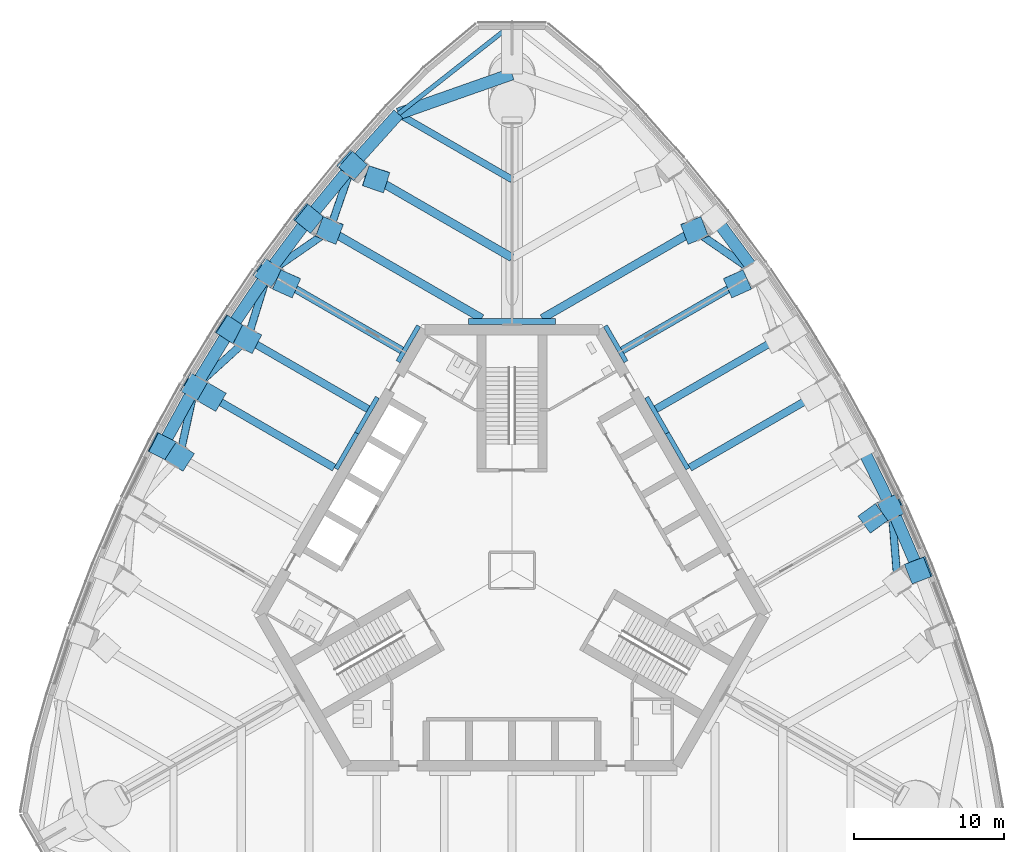
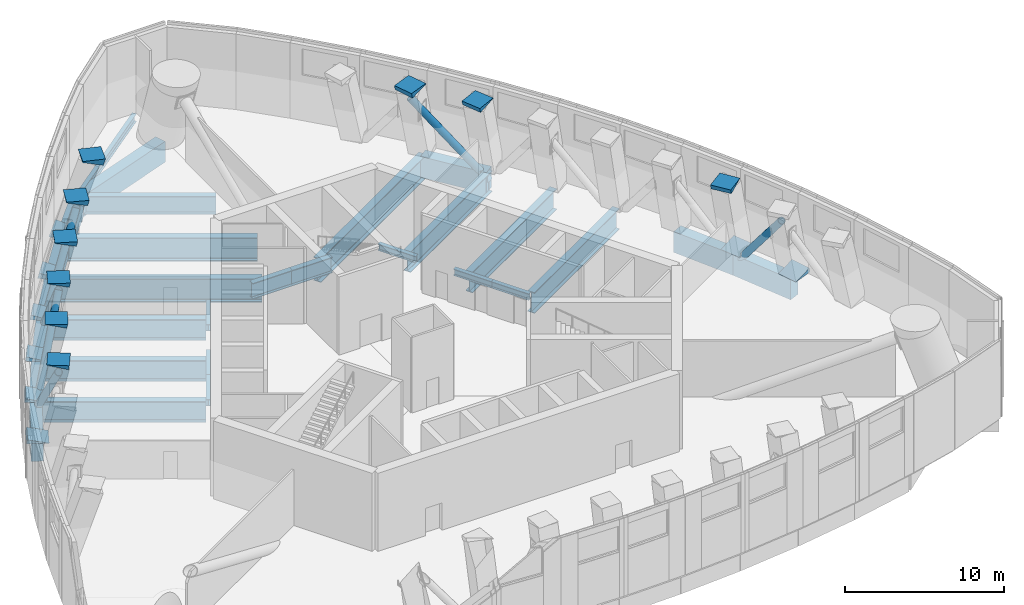
# One storey, part 4 of 22: 29 beams, 24 members.
"""IFC4 building model written with IfcOpenShell, lengths in metres."""

from ifc_helpers import new_model, si_unit, direction, frame, origin, origin_2d, place, context, subcontext, project, spatial, rectangle, hollow_circle, i_section, extrude, clip, halfspace, material, material_profile, profile_set, type_object, element, save


model = new_model("IFC4")

# Units and contexts
model_context = context("Model", 3, precision=1e-05, world=origin(), true_north=direction((0.0, 1.0)))
body_context = subcontext(model_context, "Body", "Model", "MODEL_VIEW")
ifc_project = project(units=[si_unit("LENGTHUNIT", "METRE"), si_unit("AREAUNIT", "SQUARE_METRE"), si_unit("VOLUMEUNIT", "CUBIC_METRE"), si_unit("PLANEANGLEUNIT", "RADIAN"), si_unit("MASSUNIT", "GRAM", prefix="KILO")], contexts=[model_context])

# Site, building, storey
site_placement = place(None, origin())
site = spatial("IfcSite", under=ifc_project, at=site_placement, CompositionType="ELEMENT")
building_placement = place(site_placement, origin())
building = spatial("IfcBuilding", under=site, at=building_placement, Name="Trefoil Bronze Tower", CompositionType="ELEMENT")
storey_placement = place(building_placement, frame((0.0, 0.0, 265.300048828125)))
storey = spatial("IfcBuildingStorey", under=building, at=storey_placement, Name="L61", CompositionType="ELEMENT", Elevation=265.300048828125)

# Members
ifc_material_1 = material(Name="Steel C355", Category="steel")
ifc_material_profile_1 = material_profile(ifc_material_1, hollow_circle(Radius=0.25390625, WallThickness=0.02001953125, at=origin_2d()), Name="CHS 508x20")
ifc_profile_set_1 = profile_set([ifc_material_profile_1], Name="Steel C355")
member_type_1 = type_object("IfcMemberType", Name="Belt truss diagonal CHS 508x20", PredefinedType="BRACE", material=ifc_profile_set_1)
member_1_placement = place(storey_placement, frame((25.2265625, 4.17236328125, -1.050048828125), z_axis=(0.051692615615, -0.633335807704, 0.772148708586), x_axis=(0.996685670692, 0.081349086278, 0.0)))
element("IfcMember", 1, at=member_1_placement, inside=storey, type_object=member_type_1, Name="Belt truss diagonal F2.2 L61", PredefinedType="BRACE", context=body_context, shape_type="SweptSolid", body=[
    extrude(hollow_circle(Radius=0.25390625, WallThickness=0.02001953125, at=origin_2d()), origin(), (0.0, 0.0, 1.0), 7.83544921875),
])
member_2_placement = place(storey_placement, frame((16.2265625, 19.7607421875, -1.050048828125), z_axis=(-0.52262951053, 0.361444125806, 0.772150593242), x_axis=(-0.568809587094, -0.822469241753, 0.0)))
element("IfcMember", 2, at=member_2_placement, inside=storey, type_object=member_type_1, Name="Belt truss diagonal F2.7 L61", PredefinedType="BRACE", context=body_context, shape_type="SweptSolid", body=[
    extrude(hollow_circle(Radius=0.25390625, WallThickness=0.02001953125, at=origin_2d()), origin(), (0.0, 0.0, 1.0), 7.835205078125),
])
member_3_placement = place(storey_placement, frame((-10.632080078125, 26.923095703125, -1.050048828125), z_axis=(-0.197572328116, -0.570553628102, 0.797140974121), x_axis=(0.944948696963, -0.327218520423, 0.0)))
element("IfcMember", 3, at=member_3_placement, inside=storey, type_object=member_type_1, Name="Belt truss diagonal F3.1 L61", PredefinedType="BRACE", context=body_context, shape_type="SweptSolid", body=[
    extrude(hollow_circle(Radius=0.25390625, WallThickness=0.02001953125, at=origin_2d()), origin(), (0.0, 0.0, 1.0), 7.589599609375),
])
member_4_placement = place(storey_placement, frame((-16.2265625, 19.7607421875, -1.050048828125), z_axis=(0.52262951053, 0.361444125806, 0.772150593242), x_axis=(-0.568809587094, 0.822469241753, 0.0)))
element("IfcMember", 4, at=member_4_placement, inside=storey, type_object=member_type_1, Name="Belt truss diagonal F3.2 L61", PredefinedType="BRACE", context=body_context, shape_type="SweptSolid", body=[
    extrude(hollow_circle(Radius=0.25390625, WallThickness=0.02001953125, at=origin_2d()), origin(), (0.0, 0.0, 1.0), 7.835205078125),
])
member_5_placement = place(storey_placement, frame((-16.2265625, 19.7607421875, -1.050048828125), z_axis=(-0.179719504995, -0.579171052518, 0.795148911493), x_axis=(0.95507498271, -0.296364264718, 0.0)))
element("IfcMember", 5, at=member_5_placement, inside=storey, type_object=member_type_1, Name="Belt truss diagonal F3.3 L61", PredefinedType="BRACE", context=body_context, shape_type="SweptSolid", body=[
    extrude(hollow_circle(Radius=0.25390625, WallThickness=0.02001953125, at=origin_2d()), origin(), (0.0, 0.0, 1.0), 7.608642578125),
])
for number, where, z_axis, x_axis, name in (
    (6, (-21.08837890625, 12.17529296875, -1.050048828125), (0.455246541838, 0.414120727641, 0.788197062341), (-0.672904279317, 0.739729566042, 0.0), "Belt truss diagonal F3.4 L61"),
    (7, (-21.08837890625, 12.17529296875, -1.050048828125), (-0.131012143103, -0.601307250634, 0.788203913143), (0.977077368956, -0.21288451112, 0.0), "Belt truss diagonal F3.5 L61"),
):
    element("IfcMember", number, at=place(storey_placement, frame(where, z_axis=z_axis, x_axis=x_axis)), inside=storey, type_object=member_type_1, Name=name, PredefinedType="BRACE", context=body_context, shape_type="SweptSolid", body=[
        extrude(hollow_circle(Radius=0.25390625, WallThickness=0.02001953125, at=origin_2d()), origin(), (0.0, 0.0, 1.0), 7.67578125),
    ])
ifc_material_2 = material(Name="Concrete B80", Category="concrete")
ifc_material_profile_2 = material_profile(ifc_material_2, rectangle(XDim=1.39990234375, YDim=1.39990234375, at=origin_2d()), Name="RC 1400x1400")
ifc_profile_set_2 = profile_set([ifc_material_profile_2], Name="Concrete B80")
member_type_2 = type_object("IfcMemberType", Name="Column node RC 1400x1400", PredefinedType="MEMBER", material=ifc_profile_set_2)
member_6_placement = place(storey_placement, frame((14.94775390625, 19.0224609375, 6.1796875), z_axis=(0.200896530862, 0.115647674016, -0.972762149439), x_axis=(0.408841972244, -0.912288941481, -0.024023508965)))
element("IfcMember", 8, at=member_6_placement, inside=storey, type_object=member_type_2, Name="Column node TC1414 L61 top", PredefinedType="MEMBER", context=body_context, shape_type="Clipping", body=[
    clip(extrude(rectangle(XDim=1.39990234375, YDim=1.39990234375, at=origin_2d()), origin(), (0.0, 0.0, 1.0), 0.369384765625), halfspace(frame((0.0, 0.0, 0.184814453125), z_axis=(0.02402350896539022, 0.2305573066179881, 0.9727621494394448), x_axis=(0.0, 0.9730429756149949, -0.23062386608136765)), True)),
])
member_7_placement = place(storey_placement, frame((12.08349609375, 22.56494140625, 6.207763671875), z_axis=(0.224170970266, 0.129394889166, -0.965921497197), x_axis=(0.364654857546, -0.930283555535, -0.039991763767)))
element("IfcMember", 9, at=member_7_placement, inside=storey, type_object=member_type_2, Name="Column node TC1414 L61 top", PredefinedType="MEMBER", context=body_context, shape_type="Clipping", body=[
    clip(extrude(rectangle(XDim=1.39990234375, YDim=1.39990234375, at=origin_2d()), origin(), (0.0, 0.0, 1.0), 0.43017578125), halfspace(frame((0.0, 0.0, 0.215087890625), z_axis=(0.03999176376691203, 0.2557270421429773, 0.9659214971971664), x_axis=(0.0, 0.9666948439632255, -0.255931785159474)), True)),
])
member_8_placement = place(storey_placement, frame((25.263671875, 4.19384765625, -0.1796875), z_axis=(-0.200881135237, -0.116299604611, 0.9726876022), x_axis=(-0.411098217453, 0.911273597197, 0.02405590693)))
element("IfcMember", 10, at=member_8_placement, inside=storey, type_object=member_type_2, Name="Column node TC1414 L61 bottom", PredefinedType="MEMBER", context=body_context, shape_type="Clipping", body=[
    clip(extrude(rectangle(XDim=1.39990234375, YDim=1.39990234375, at=origin_2d()), origin(), (0.0, 0.0, 1.0), 0.369384765625), halfspace(frame((0.0, 0.0, 0.184814453125), z_axis=(0.02405590693003195, -0.23086823486241995, 0.9726876021998452), x_axis=(0.0, 0.972969165077258, 0.2309350640523511)), True)),
])
member_9_placement = place(storey_placement, frame((23.94775390625, 3.433837890625, 6.1796875), z_axis=(0.200881135237, 0.116299604611, -0.9726876022), x_axis=(0.585578405477, -0.810258751499, 0.02405590693)))
element("IfcMember", 11, at=member_9_placement, inside=storey, type_object=member_type_2, Name="Column node TC1414 L61 top", PredefinedType="MEMBER", context=body_context, shape_type="Clipping", body=[
    clip(extrude(rectangle(XDim=1.39990234375, YDim=1.39990234375, at=origin_2d()), origin(), (0.0, 0.0, 1.0), 0.369384765625), halfspace(frame((0.0, 0.0, 0.184814453125), z_axis=(-0.02405590693003195, 0.23086823486241995, 0.9726876021998452), x_axis=(0.0, 0.972969165077258, -0.2309350640523511)), True)),
])
member_10_placement = place(storey_placement, frame((27.0703125, 0.04052734375, -0.207763671875), z_axis=(-0.22364825769, -0.128853183999, 0.966115062405), x_axis=(-0.363879703988, 0.930591826476, 0.039879988977)))
element("IfcMember", 12, at=member_10_placement, inside=storey, type_object=member_type_2, Name="Column node TC1414 L61 bottom", PredefinedType="MEMBER", context=body_context, shape_type="Clipping", body=[
    clip(extrude(rectangle(XDim=1.39990234375, YDim=1.39990234375, at=origin_2d()), origin(), (0.0, 0.0, 1.0), 0.43017578125), halfspace(frame((0.0, 0.0, 0.215087890625), z_axis=(0.03987998897700181, -0.25501229906296485, 0.966115062404999), x_axis=(0.0, 0.9668842412399599, 0.2552153287751874)), True)),
])
member_11_placement = place(storey_placement, frame((-21.1162109375, 12.19140625, -0.149169921875), z_axis=(0.183161964872, -0.105578075822, 0.977397035257), x_axis=(-0.499394896141, -0.866374478911, 0.0)))
element("IfcMember", 13, at=member_11_placement, inside=storey, type_object=member_type_2, Name="Column node TC1414 L61 bottom", PredefinedType="MEMBER", context=body_context, shape_type="Clipping", body=[
    clip(extrude(rectangle(XDim=1.39990234375, YDim=1.39990234375, at=origin_2d()), origin(), (0.0, 0.0, 1.0), 0.30517578125), halfspace(frame((0.0, 0.0, 0.152587890625), z_axis=(-2.5890503410063688e-17, -0.21141200408223554, 0.9773970352573886), x_axis=(0.0, 0.9773970352573886, 0.21141200408223554)), True)),
])
member_12_placement = place(storey_placement, frame((-19.935302734375, 11.509765625, 6.149169921875), z_axis=(-0.183161964872, 0.105578075822, -0.977397035257), x_axis=(0.499394896141, 0.866374478911, 0.0)))
element("IfcMember", 14, at=member_12_placement, inside=storey, type_object=member_type_2, Name="Column node TC1414 L61 top", PredefinedType="MEMBER", context=body_context, shape_type="Clipping", body=[
    clip(extrude(rectangle(XDim=1.39990234375, YDim=1.39990234375, at=origin_2d()), origin(), (0.0, 0.0, 1.0), 0.30517578125), halfspace(frame((0.0, 0.0, 0.152587890625), z_axis=(2.5890503410063688e-17, 0.2114120040822355, 0.9773970352573886), x_axis=(0.0, 0.9773970352573886, -0.2114120040822355)), True)),
])
member_13_placement = place(storey_placement, frame((-23.27880859375, 8.243896484375, -0.160400390625), z_axis=(0.187953705377, -0.108463403103, 0.976170627925), x_axis=(-0.455185677228, -0.890325052829, -0.011282710331)))
element("IfcMember", 15, at=member_13_placement, inside=storey, type_object=member_type_2, Name="Column node TC1414 L61 bottom", PredefinedType="MEMBER", context=body_context, shape_type="Clipping", body=[
    clip(extrude(rectangle(XDim=1.39990234375, YDim=1.39990234375, at=origin_2d()), origin(), (0.0, 0.0, 1.0), 0.32861328125), halfspace(frame((0.0, 0.0, 0.164306640625), z_axis=(-0.01128271033060312, -0.2167108802645334, 0.9761706279245278), x_axis=(0.0, 0.976232766899291, 0.21672467518064176)), True)),
])
member_14_placement = place(storey_placement, frame((-22.063232421875, 7.5419921875, 6.160400390625), z_axis=(-0.187236899546, 0.108478521165, -0.976306690489), x_axis=(0.544550951226, 0.838652299893, -0.011250840125)))
element("IfcMember", 16, at=member_14_placement, inside=storey, type_object=member_type_2, Name="Column node TC1414 L61 top", PredefinedType="MEMBER", context=body_context, shape_type="Clipping", body=[
    clip(extrude(rectangle(XDim=1.39990234375, YDim=1.39990234375, at=origin_2d()), origin(), (0.0, 0.0, 1.0), 0.32861328125), halfspace(frame((0.0, 0.0, 0.164306640625), z_axis=(0.011250840125173118, 0.2160987383172024, 0.9763066904893108), x_axis=(0.0, 0.9763684874917113, -0.21611241665658143)), True)),
])
member_15_placement = place(storey_placement, frame((-18.77880859375, 16.0380859375, -0.160400390625), z_axis=(0.187953705377, -0.108463403103, 0.976170627925), x_axis=(-0.54310473466, -0.839589154073, 0.011282710331)))
element("IfcMember", 17, at=member_15_placement, inside=storey, type_object=member_type_2, Name="Column node TC1414 L61 bottom", PredefinedType="MEMBER", context=body_context, shape_type="Clipping", body=[
    clip(extrude(rectangle(XDim=1.39990234375, YDim=1.39990234375, at=origin_2d()), origin(), (0.0, 0.0, 1.0), 0.32861328125), halfspace(frame((0.0, 0.0, 0.164306640625), z_axis=(0.01128271033060312, -0.21671088026453342, 0.9761706279245278), x_axis=(0.0, 0.976232766899291, 0.21672467518064178)), True)),
])
member_16_placement = place(storey_placement, frame((-17.563232421875, 15.336181640625, 6.160400390625), z_axis=(-0.187236899546, 0.108478521165, -0.976306690489), x_axis=(0.456706853396, 0.889546102604, 0.011250840125)))
element("IfcMember", 18, at=member_16_placement, inside=storey, type_object=member_type_2, Name="Column node TC1414 L61 top", PredefinedType="MEMBER", context=body_context, shape_type="Clipping", body=[
    clip(extrude(rectangle(XDim=1.39990234375, YDim=1.39990234375, at=origin_2d()), origin(), (0.0, 0.0, 1.0), 0.32861328125), halfspace(frame((0.0, 0.0, 0.164306640625), z_axis=(-0.011250840125173118, 0.2160987383172024, 0.9763066904893108), x_axis=(0.0, 0.9763684874917113, -0.21611241665658143)), True)),
])
member_17_placement = place(storey_placement, frame((-16.263671875, 19.7822265625, -0.1796875), z_axis=(0.200881135237, -0.116299604611, 0.9726876022), x_axis=(-0.585578405477, -0.810258751499, 0.02405590693)))
element("IfcMember", 19, at=member_17_placement, inside=storey, type_object=member_type_2, Name="Column node TC1414 L61 bottom", PredefinedType="MEMBER", context=body_context, shape_type="Clipping", body=[
    clip(extrude(rectangle(XDim=1.39990234375, YDim=1.39990234375, at=origin_2d()), origin(), (0.0, 0.0, 1.0), 0.369384765625), halfspace(frame((0.0, 0.0, 0.1845703125), z_axis=(0.02405590693003195, -0.23086823486241995, 0.9726876021998452), x_axis=(0.0, 0.972969165077258, 0.2309350640523511)), True)),
])
member_18_placement = place(storey_placement, frame((-14.94775390625, 19.0224609375, 6.1796875), z_axis=(-0.200896530862, 0.115647674016, -0.972762149439), x_axis=(0.408841972244, 0.912288941481, 0.024023508965)))
element("IfcMember", 20, at=member_18_placement, inside=storey, type_object=member_type_2, Name="Column node TC1414 L61 top", PredefinedType="MEMBER", context=body_context, shape_type="Clipping", body=[
    clip(extrude(rectangle(XDim=1.39990234375, YDim=1.39990234375, at=origin_2d()), origin(), (0.0, 0.0, 1.0), 0.369384765625), halfspace(frame((0.0, 0.0, 0.184814453125), z_axis=(-0.02402350896539022, 0.2305573066179881, 0.9727621494394448), x_axis=(0.0, 0.9730429756149949, -0.23062386608136765)), True)),
])
member_19_placement = place(storey_placement, frame((-13.5703125, 23.42333984375, -0.207763671875), z_axis=(0.22363186547, -0.129411333318, 0.966044251344), x_axis=(-0.624037309849, -0.780374112992, 0.039920917931)))
element("IfcMember", 21, at=member_19_placement, inside=storey, type_object=member_type_2, Name="Column node TC1414 L61 bottom", PredefinedType="MEMBER", context=body_context, shape_type="Clipping", body=[
    clip(extrude(rectangle(XDim=1.39990234375, YDim=1.39990234375, at=origin_2d()), origin(), (0.0, 0.0, 1.0), 0.43017578125), halfspace(frame((0.0, 0.0, 0.215087890625), z_axis=(0.03992091793084701, -0.25527401896023777, 0.9660442513443402), x_axis=(0.0, 0.9668149552088507, 0.25547767492387297)), True)),
])
member_20_placement = place(storey_placement, frame((-12.08349609375, 22.56494140625, 6.207763671875), z_axis=(-0.224170970266, 0.129394889166, -0.965921497197), x_axis=(0.364654857546, 0.930283555535, 0.039991763767)))
element("IfcMember", 22, at=member_20_placement, inside=storey, type_object=member_type_2, Name="Column node TC1414 L61 top", PredefinedType="MEMBER", context=body_context, shape_type="Clipping", body=[
    clip(extrude(rectangle(XDim=1.39990234375, YDim=1.39990234375, at=origin_2d()), origin(), (0.0, 0.0, 1.0), 0.43017578125), halfspace(frame((0.0, 0.0, 0.215087890625), z_axis=(-0.03999176376691203, 0.2557270421429773, 0.9659214971971664), x_axis=(0.0, 0.9666948439632255, -0.255931785159474)), True)),
])
member_21_placement = place(storey_placement, frame((-10.697509765625, 26.9609375, -0.245361328125), z_axis=(0.255275023325, -0.147840842186, 0.955498690657), x_axis=(-0.659385563875, -0.749389731889, 0.060213851335)))
element("IfcMember", 23, at=member_21_placement, inside=storey, type_object=member_type_2, Name="Column node TC1414 L61 bottom", PredefinedType="MEMBER", context=body_context, shape_type="Clipping", body=[
    clip(extrude(rectangle(XDim=1.39990234375, YDim=1.39990234375, at=origin_2d()), origin(), (0.0, 0.0, 1.0), 0.513671875), halfspace(frame((0.0, 0.0, 0.2568359375), z_axis=(0.060213851335041084, -0.2887845983761713, 0.9554986906574572), x_axis=(0.0, 0.9572355947894147, 0.28930955059962243)), True)),
])
member_22_placement = place(storey_placement, frame((-8.961669921875, 25.958740234375, 6.245361328125), z_axis=(-0.25573727753, 0.147357910844, -0.95544967999), x_axis=(0.319766783244, 0.945578973068, 0.060246244908)))
element("IfcMember", 24, at=member_22_placement, inside=storey, type_object=member_type_2, Name="Column node TC1414 L61 top", PredefinedType="MEMBER", context=body_context, shape_type="Clipping", body=[
    clip(extrude(rectangle(XDim=1.39990234375, YDim=1.39990234375, at=origin_2d()), origin(), (0.0, 0.0, 1.0), 0.513671875), halfspace(frame((0.0, 0.0, 0.2568359375), z_axis=(-0.06024624490829453, 0.288939957397967, 0.9554496799901662), x_axis=(0.0, 0.9571883693663649, -0.2894657588554465)), True)),
])

# Beams
ifc_material_3 = material(Name="Steel C355", Category="steel")
ifc_material_profile_3 = material_profile(ifc_material_3, i_section(OverallWidth=0.300048828125, OverallDepth=0.5, WebThickness=0.014404296875, FlangeThickness=0.028076171875, FilletRadius=0.027099609375, at=origin_2d()), Name="HEB 500")
ifc_profile_set_3 = profile_set([ifc_material_profile_3], Name="Steel C355")
beam_type_1 = type_object("IfcBeamType", Name="Core seat beam HEB 500", PredefinedType="BEAM", material=ifc_profile_set_3)
for number, where, z_axis, x_axis, name in (
    (25, (11.69140625, 6.75, -0.5), (-0.500035825175, 0.866004719122, 0.0), (-0.866004719122, -0.500035825175, 0.0), "Core seat beam F2/+0 L61"),
    (26, (10.320068359375, 9.125, -0.5), (-0.499969057507, 0.866043267704, 0.0), (-0.866043267704, -0.499969057507, 0.0), "Core seat beam F2/+1 L61"),
    (27, (7.57763671875, 13.875, -0.5), (-0.499969057507, 0.866043267704, 0.0), (-0.866043267704, -0.499969057507, 0.0), "Core seat beam F2/+2 L61"),
    (28, (-6.20654296875, 16.25, -0.5), (-0.499969057507, -0.866043267704, 0.0), (0.866043267704, -0.499969057507, 0.0), "Core seat beam F3/-2 L61"),
    (29, (-8.948974609375, 11.5, -0.5), (-0.499969057507, -0.866043267704, 0.0), (0.866043267704, -0.499969057507, 0.0), "Core seat beam F3/-1 L61"),
    (30, (-10.320068359375, 9.125, -0.5), (-0.500035825175, -0.866004719122, 0.0), (0.866004719122, -0.500035825175, 0.0), "Core seat beam F3/+0 L61"),
):
    element("IfcBeam", number, at=place(storey_placement, frame(where, z_axis=z_axis, x_axis=x_axis)), inside=storey, type_object=beam_type_1, Name=name, PredefinedType="BEAM", context=body_context, shape_type="SweptSolid", body=[
        extrude(i_section(OverallWidth=0.300048828125, OverallDepth=0.5, WebThickness=0.014404296875, FlangeThickness=0.028076171875, FilletRadius=0.027099609375, at=origin_2d()), origin(), (0.0, 0.0, 1.0), 2.742431640625),
    ])
ifc_material_4 = material(Name="Steel C355", Category="steel")
ifc_material_profile_4 = material_profile(ifc_material_4, i_section(OverallWidth=0.39990234375, OverallDepth=1.199951171875, WebThickness=0.02001953125, FlangeThickness=0.0400390625, FilletRadius=0.010009765625, at=origin_2d()), Name="WPG 1200")
ifc_profile_set_4 = profile_set([ifc_material_profile_4], Name="Steel C355")
beam_type_2 = type_object("IfcBeamType", Name="Core seat beam WPG 1200", PredefinedType="BEAM", material=ifc_profile_set_4)
for number, where, z_axis, x_axis, name in (
    (31, (2.88671875, 16.550048828125, -0.85009765625), (-1.0, 0.0, 0.0), (0.0, -1.0, 0.0), "Core seat beam F2/+3 L61"),
    (32, (0.0, 16.550048828125, -0.85009765625), (-1.0, 0.0, 0.0), (0.0, -1.0, 0.0), "Core seat beam F3/-3 L61"),
):
    element("IfcBeam", number, at=place(storey_placement, frame(where, z_axis=z_axis, x_axis=x_axis)), inside=storey, type_object=beam_type_2, Name=name, PredefinedType="BEAM", context=body_context, shape_type="SweptSolid", body=[
        extrude(i_section(OverallWidth=0.39990234375, OverallDepth=1.199951171875, WebThickness=0.02001953125, FlangeThickness=0.0400390625, FilletRadius=0.010009765625, at=origin_2d()), origin(), (0.0, 0.0, 1.0), 2.88671875),
    ])
ifc_material_5 = material(Name="Steel C355", Category="steel")
ifc_material_profile_5 = material_profile(ifc_material_5, i_section(OverallWidth=0.300048828125, OverallDepth=0.60009765625, WebThickness=0.015380859375, FlangeThickness=0.030029296875, FilletRadius=0.027099609375, at=origin_2d()), Name="HEB 600")
ifc_profile_set_5 = profile_set([ifc_material_profile_5], Name="Steel C355")
beam_type_3 = type_object("IfcBeamType", Name="Corner edge beam HEB 600", PredefinedType="BEAM", material=ifc_profile_set_5)
beam_1_placement = place(storey_placement, frame((-7.552001953125, 30.3408203125, -0.550048828125), z_axis=(0.785805912008, 0.618473175371, 0.0), x_axis=(-0.618473175371, 0.785805912008, 0.0)))
element("IfcBeam", 33, at=beam_1_placement, inside=storey, type_object=beam_type_3, Name="Corner edge beam F3B L61", PredefinedType="BEAM", context=body_context, shape_type="SweptSolid", body=[
    extrude(i_section(OverallWidth=0.300048828125, OverallDepth=0.60009765625, WebThickness=0.015380859375, FlangeThickness=0.030029296875, FilletRadius=0.027099609375, at=origin_2d()), origin(), (0.0, 0.0, 1.0), 9.610595703125),
])
ifc_material_6 = material(Name="Concrete B80", Category="concrete")
ifc_material_profile_6 = material_profile(ifc_material_6, rectangle(XDim=0.800048828125, YDim=1.60009765625, at=origin_2d()), Name="RC 800x1600")
ifc_profile_set_6 = profile_set([ifc_material_profile_6], Name="Concrete B80")
beam_type_4 = type_object("IfcBeamType", Name="End spandrel beam RC 800x1600", PredefinedType="SPANDREL", material=ifc_profile_set_6)
beam_2_placement = place(storey_placement, frame((0.0, 33.0, -1.050048828125), z_axis=(-0.943234397359, -0.332127794137, 0.0), x_axis=(0.332127794137, -0.943234397359, 0.0)))
element("IfcBeam", 34, at=beam_2_placement, inside=storey, type_object=beam_type_4, Name="Spandrel F3.1 L61", PredefinedType="SPANDREL", context=body_context, shape_type="SweptSolid", body=[
    extrude(rectangle(XDim=0.800048828125, YDim=1.60009765625, at=origin_2d()), origin(), (0.0, 0.0, 1.0), 8.006591796875),
])
ifc_material_7 = material(Name="Steel C355", Category="steel")
ifc_material_profile_7 = material_profile(ifc_material_7, i_section(OverallWidth=0.449951171875, OverallDepth=1.39990234375, WebThickness=0.02294921875, FlangeThickness=0.044921875, FilletRadius=0.011962890625, at=origin_2d()), Name="WPG 1400")
ifc_profile_set_7 = profile_set([ifc_material_profile_7], Name="Steel C355")
beam_type_5 = type_object("IfcBeamType", Name="Floor beam WPG 1400", PredefinedType="BEAM", material=ifc_profile_set_7)
beam_3_placement = place(storey_placement, frame((-7.552001953125, 30.3408203125, -0.949951171875), z_axis=(0.866027535932, -0.499996306993, 0.0), x_axis=(0.499996306993, 0.866027535932, 0.0)))
element("IfcBeam", 35, at=beam_3_placement, inside=storey, type_object=beam_type_5, Name="Floor beam F3/-5 L61", PredefinedType="BEAM", context=body_context, shape_type="SweptSolid", body=[
    extrude(i_section(OverallWidth=0.449951171875, OverallDepth=1.39990234375, WebThickness=0.02294921875, FlangeThickness=0.044921875, FilletRadius=0.011962890625, at=origin_2d()), origin(), (0.0, 0.0, 1.0), 8.72021484375),
])
ifc_material_8 = material(Name="Steel C355", Category="steel")
ifc_material_profile_8 = material_profile(ifc_material_8, i_section(OverallWidth=0.5, OverallDepth=1.60009765625, WebThickness=0.02587890625, FlangeThickness=0.050048828125, FilletRadius=0.011962890625, at=origin_2d()), Name="WPG 1600")
ifc_profile_set_8 = profile_set([ifc_material_profile_8], Name="Steel C355")
beam_type_6 = type_object("IfcBeamType", Name="Floor beam WPG 1600", PredefinedType="BEAM", material=ifc_profile_set_8)
beam_4_placement = place(storey_placement, frame((21.08837890625, 12.17529296875, -1.050048828125), z_axis=(-0.86602601154, -0.499998947334, 0.0), x_axis=(0.499998947334, -0.86602601154, 0.0)))
element("IfcBeam", 36, at=beam_4_placement, inside=storey, type_object=beam_type_6, Name="Floor beam F2/+0 L61", PredefinedType="BEAM", context=body_context, shape_type="SweptSolid", body=[
    extrude(i_section(OverallWidth=0.5, OverallDepth=1.60009765625, WebThickness=0.02587890625, FlangeThickness=0.050048828125, FilletRadius=0.011962890625, at=origin_2d()), origin(), (0.0, 0.0, 1.0), 10.70068359375),
])
beam_5_placement = place(storey_placement, frame((18.748046875, 16.020263671875, -1.050048828125), z_axis=(-0.86602981261, -0.499992363612, 0.0), x_axis=(0.499992363612, -0.86602981261, 0.0)))
element("IfcBeam", 37, at=beam_5_placement, inside=storey, type_object=beam_type_6, Name="Floor beam F2/+1 L61", PredefinedType="BEAM", context=body_context, shape_type="SweptSolid", body=[
    extrude(i_section(OverallWidth=0.5, OverallDepth=1.60009765625, WebThickness=0.02587890625, FlangeThickness=0.050048828125, FilletRadius=0.011962890625, at=origin_2d()), origin(), (0.0, 0.0, 1.0), 10.596435546875),
])
for number, where, z_axis, x_axis, name in (
    (38, (16.2265625, 19.7607421875, -1.050048828125), (-0.866019527493, -0.500010177898, 0.0), (0.500010177898, -0.866019527493, 0.0), "Floor beam F2/+2 L61"),
    (39, (-16.2265625, 19.7607421875, -1.050048828125), (0.866019527493, -0.500010177898, 0.0), (0.500010177898, 0.866019527493, 0.0), "Floor beam F3/-2 L61"),
):
    element("IfcBeam", number, at=place(storey_placement, frame(where, z_axis=z_axis, x_axis=x_axis)), inside=storey, type_object=beam_type_6, Name=name, PredefinedType="BEAM", context=body_context, shape_type="SweptSolid", body=[
        extrude(i_section(OverallWidth=0.5, OverallDepth=1.60009765625, WebThickness=0.02587890625, FlangeThickness=0.050048828125, FilletRadius=0.011962890625, at=origin_2d()), origin(), (0.0, 0.0, 1.0), 10.282958984375),
    ])
beam_6_placement = place(storey_placement, frame((-18.748046875, 16.020263671875, -1.050048828125), z_axis=(0.86602981261, -0.499992363612, 0.0), x_axis=(0.499992363612, 0.86602981261, 0.0)))
element("IfcBeam", 40, at=beam_6_placement, inside=storey, type_object=beam_type_6, Name="Floor beam F3/-1 L61", PredefinedType="BEAM", context=body_context, shape_type="SweptSolid", body=[
    extrude(i_section(OverallWidth=0.5, OverallDepth=1.60009765625, WebThickness=0.02587890625, FlangeThickness=0.050048828125, FilletRadius=0.011962890625, at=origin_2d()), origin(), (0.0, 0.0, 1.0), 10.596435546875),
])
beam_7_placement = place(storey_placement, frame((-21.08837890625, 12.17529296875, -1.050048828125), z_axis=(0.86602601154, -0.499998947334, 0.0), x_axis=(0.499998947334, 0.86602601154, 0.0)))
element("IfcBeam", 41, at=beam_7_placement, inside=storey, type_object=beam_type_6, Name="Floor beam F3/+0 L61", PredefinedType="BEAM", context=body_context, shape_type="SweptSolid", body=[
    extrude(i_section(OverallWidth=0.5, OverallDepth=1.60009765625, WebThickness=0.02587890625, FlangeThickness=0.050048828125, FilletRadius=0.011962890625, at=origin_2d()), origin(), (0.0, 0.0, 1.0), 10.70068359375),
])
ifc_material_9 = material(Name="Steel C355", Category="steel")
ifc_material_profile_9 = material_profile(ifc_material_9, i_section(OverallWidth=0.550048828125, OverallDepth=1.800048828125, WebThickness=0.029052734375, FlangeThickness=0.054931640625, FilletRadius=0.013916015625, at=origin_2d()), Name="WPG 1800")
ifc_profile_set_9 = profile_set([ifc_material_profile_9], Name="Steel C355")
beam_type_7 = type_object("IfcBeamType", Name="Floor beam WPG 1800", PredefinedType="BEAM", material=ifc_profile_set_9)
beam_8_placement = place(storey_placement, frame((13.522216796875, 23.3955078125, -1.150146484375), z_axis=(-0.866023461342, -0.500003364394, 0.0), x_axis=(0.500003364394, -0.866023461342, 0.0)))
element("IfcBeam", 42, at=beam_8_placement, inside=storey, type_object=beam_type_7, Name="Floor beam F2/+3 L61", PredefinedType="BEAM", context=body_context, shape_type="SweptSolid", body=[
    extrude(i_section(OverallWidth=0.550048828125, OverallDepth=1.800048828125, WebThickness=0.029052734375, FlangeThickness=0.054931640625, FilletRadius=0.013916015625, at=origin_2d()), origin(), (0.0, 0.0, 1.0), 13.291015625),
])
beam_9_placement = place(storey_placement, frame((-10.632080078125, 26.923095703125, -1.150146484375), z_axis=(0.866025635187, -0.499999599199, 0.0), x_axis=(0.499999599199, 0.866025635187, 0.0)))
element("IfcBeam", 43, at=beam_9_placement, inside=storey, type_object=beam_type_7, Name="Floor beam F3/-4 L61", PredefinedType="BEAM", context=body_context, shape_type="SweptSolid", body=[
    extrude(i_section(OverallWidth=0.550048828125, OverallDepth=1.800048828125, WebThickness=0.029052734375, FlangeThickness=0.054931640625, FilletRadius=0.013916015625, at=origin_2d()), origin(), (0.0, 0.0, 1.0), 12.27685546875),
])
beam_10_placement = place(storey_placement, frame((-13.522216796875, 23.3955078125, -1.150146484375), z_axis=(0.866023461342, -0.500003364394, 0.0), x_axis=(0.500003364394, 0.866023461342, 0.0)))
element("IfcBeam", 44, at=beam_10_placement, inside=storey, type_object=beam_type_7, Name="Floor beam F3/-3 L61", PredefinedType="BEAM", context=body_context, shape_type="SweptSolid", body=[
    extrude(i_section(OverallWidth=0.550048828125, OverallDepth=1.800048828125, WebThickness=0.029052734375, FlangeThickness=0.054931640625, FilletRadius=0.013916015625, at=origin_2d()), origin(), (0.0, 0.0, 1.0), 13.291015625),
])
ifc_material_10 = material(Name="Concrete B80", Category="concrete")
ifc_material_profile_10 = material_profile(ifc_material_10, rectangle(XDim=0.800048828125, YDim=1.60009765625, at=origin_2d()), Name="RC 800x1600")
ifc_profile_set_10 = profile_set([ifc_material_profile_10], Name="Concrete B80")
beam_type_8 = type_object("IfcBeamType", Name="Spandrel beam RC 800x1600", PredefinedType="SPANDREL", material=ifc_profile_set_10)
beam_11_placement = place(storey_placement, frame((27.022216796875, 0.012939453125, -1.050048828125), z_axis=(-0.396350337164, 0.918099346602, 0.0), x_axis=(-0.918099346602, -0.396350337164, 0.0)))
element("IfcBeam", 45, at=beam_11_placement, inside=storey, type_object=beam_type_8, Name="Spandrel F2.4 L61", PredefinedType="SPANDREL", context=body_context, shape_type="SweptSolid", body=[
    extrude(rectangle(XDim=0.800048828125, YDim=1.60009765625, at=origin_2d()), origin(), (0.0, 0.0, 1.0), 4.530517578125),
])
beam_12_placement = place(storey_placement, frame((25.2265625, 4.17236328125, -1.050048828125), z_axis=(-0.438619830351, 0.898672712629, 0.0), x_axis=(-0.898672712629, -0.438619830351, 0.0)))
element("IfcBeam", 46, at=beam_12_placement, inside=storey, type_object=beam_type_8, Name="Spandrel F2.5 L61", PredefinedType="SPANDREL", context=body_context, shape_type="SweptSolid", body=[
    extrude(rectangle(XDim=0.800048828125, YDim=1.60009765625, at=origin_2d()), origin(), (0.0, 0.0, 1.0), 4.5107421875),
])
beam_13_placement = place(storey_placement, frame((16.2265625, 19.7607421875, -1.050048828125), z_axis=(-0.596926078257, 0.802296240236, 0.0), x_axis=(-0.802296240236, -0.596926078257, 0.0)))
element("IfcBeam", 47, at=beam_13_placement, inside=storey, type_object=beam_type_8, Name="Spandrel F2.9 L61", PredefinedType="SPANDREL", context=body_context, shape_type="SweptSolid", body=[
    extrude(rectangle(XDim=0.800048828125, YDim=1.60009765625, at=origin_2d()), origin(), (0.0, 0.0, 1.0), 4.530517578125),
])
beam_14_placement = place(storey_placement, frame((-7.552001953125, 30.3408203125, -1.050048828125), z_axis=(-0.669460045872, -0.742848064534, 0.0), x_axis=(0.742848064534, -0.669460045872, 0.0)))
element("IfcBeam", 48, at=beam_14_placement, inside=storey, type_object=beam_type_8, Name="Spandrel F3.2 L61", PredefinedType="SPANDREL", context=body_context, shape_type="SweptSolid", body=[
    extrude(rectangle(XDim=0.800048828125, YDim=1.60009765625, at=origin_2d()), origin(), (0.0, 0.0, 1.0), 4.600830078125),
])
beam_15_placement = place(storey_placement, frame((-10.632080078125, 26.923095703125, -1.050048828125), z_axis=(-0.633753657863, -0.773534938542, 0.0), x_axis=(0.773534938542, -0.633753657863, 0.0)))
element("IfcBeam", 49, at=beam_15_placement, inside=storey, type_object=beam_type_8, Name="Spandrel F3.3 L61", PredefinedType="SPANDREL", context=body_context, shape_type="SweptSolid", body=[
    extrude(rectangle(XDim=0.800048828125, YDim=1.60009765625, at=origin_2d()), origin(), (0.0, 0.0, 1.0), 4.560302734375),
])
beam_16_placement = place(storey_placement, frame((-13.522216796875, 23.3955078125, -1.050048828125), z_axis=(-0.596926078257, -0.802296240236, 0.0), x_axis=(0.802296240236, -0.596926078257, 0.0)))
element("IfcBeam", 50, at=beam_16_placement, inside=storey, type_object=beam_type_8, Name="Spandrel F3.4 L61", PredefinedType="SPANDREL", context=body_context, shape_type="SweptSolid", body=[
    extrude(rectangle(XDim=0.800048828125, YDim=1.60009765625, at=origin_2d()), origin(), (0.0, 0.0, 1.0), 4.530517578125),
])
beam_17_placement = place(storey_placement, frame((-16.2265625, 19.7607421875, -1.050048828125), z_axis=(-0.558964302753, -0.829191719838, 0.0), x_axis=(0.829191719838, -0.558964302753, 0.0)))
element("IfcBeam", 51, at=beam_17_placement, inside=storey, type_object=beam_type_8, Name="Spandrel F3.5 L61", PredefinedType="SPANDREL", context=body_context, shape_type="SweptSolid", body=[
    extrude(rectangle(XDim=0.800048828125, YDim=1.60009765625, at=origin_2d()), origin(), (0.0, 0.0, 1.0), 4.510986328125),
])
for number, where, z_axis, x_axis, name in (
    (52, (-18.748046875, 16.020263671875, -1.050048828125), (-0.519933181394, -0.854206934464, 0.0), (0.854206934464, -0.519933181394, 0.0), "Spandrel F3.6 L61"),
    (53, (-21.08837890625, 12.17529296875, -1.050048828125), (-0.479801903802, -0.87737684783, 0.0), (0.87737684783, -0.479801903802, 0.0), "Spandrel F3.7 L61"),
):
    element("IfcBeam", number, at=place(storey_placement, frame(where, z_axis=z_axis, x_axis=x_axis)), inside=storey, type_object=beam_type_8, Name=name, PredefinedType="SPANDREL", context=body_context, shape_type="SweptSolid", body=[
        extrude(rectangle(XDim=0.800048828125, YDim=1.60009765625, at=origin_2d()), origin(), (0.0, 0.0, 1.0), 4.501220703125),
    ])

save(model, "model.ifc")
